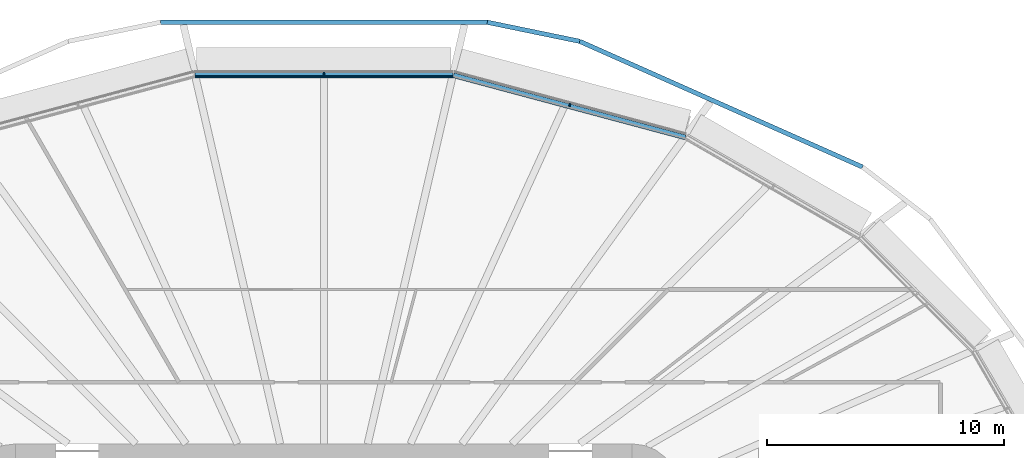
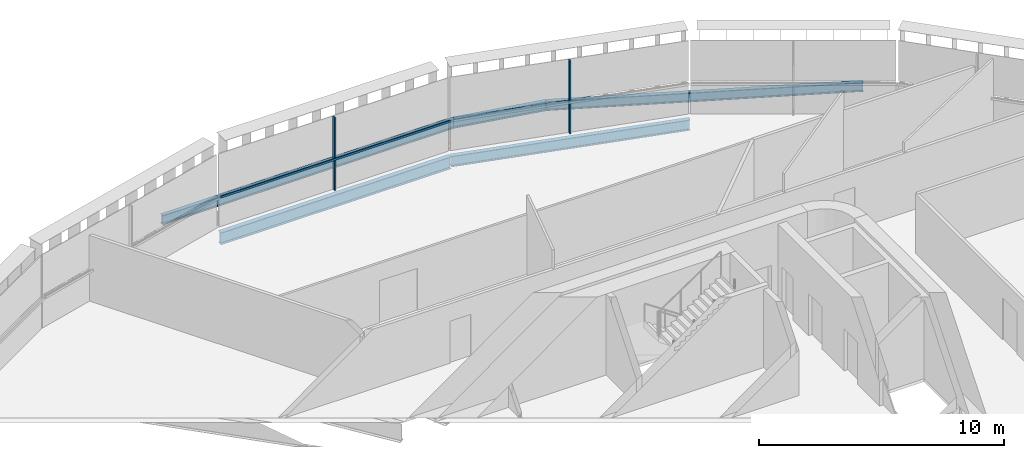
# One storey, part 11 of 25: 5 beams, 3 members, 2 elements without a shape of their own.
"""IFC4 building model written with IfcOpenShell, lengths in metres."""

from ifc_helpers import new_model, si_unit, direction, frame, origin, origin_2d, place, context, subcontext, project, spatial, rectangle, i_section, extrude, material, layer, layer_set, material_profile, profile_set, type_object, element, aggregate, save


model = new_model("IFC4")

# Units and contexts
model_context = context("Model", 3, precision=1e-05, world=origin(), true_north=direction((0.0, 1.0)))
body_context = subcontext(model_context, "Body", "Model", "MODEL_VIEW")
ifc_project = project(units=[si_unit("LENGTHUNIT", "METRE"), si_unit("AREAUNIT", "SQUARE_METRE"), si_unit("VOLUMEUNIT", "CUBIC_METRE"), si_unit("PLANEANGLEUNIT", "RADIAN"), si_unit("MASSUNIT", "GRAM", prefix="KILO")], contexts=[model_context])

# Site, building, storey
site_placement = place(None, origin())
site = spatial("IfcSite", under=ifc_project, at=site_placement, CompositionType="ELEMENT")
building_placement = place(site_placement, origin())
building = spatial("IfcBuilding", under=site, at=building_placement, Name="Sahrelin Media Tower", CompositionType="ELEMENT")
storey_placement = place(building_placement, frame((0.0, 0.0, 135.60009765625)))
storey = spatial("IfcBuildingStorey", under=building, at=storey_placement, Name="L27", CompositionType="ELEMENT", Elevation=135.60009765625)

# Beams
ifc_material_1 = material(Name="Steel S355", Category="steel")
ifc_material_profile_1 = material_profile(ifc_material_1, i_section(OverallWidth=0.208740234375, OverallDepth=0.5283203125, WebThickness=0.009521484375, FlangeThickness=0.01318359375, FilletRadius=0.0126953125, at=origin_2d()), Name="UB 533x210x82")
ifc_profile_set_1 = profile_set([ifc_material_profile_1], Name="Steel S355")
beam_type_1 = type_object("IfcBeamType", Name="Edge beam EB6", PredefinedType="BEAM", material=ifc_profile_set_1)
beam_1_placement = place(storey_placement, frame((5.46337890625, 23.5419921875, -0.414306640625), z_axis=(0.96592349726, -0.258827737002, 0.0), x_axis=(0.258827737002, 0.96592349726, 0.0)))
element("IfcBeam", 1, at=beam_1_placement, inside=storey, type_object=beam_type_1, Name="Edge beam L27-20", PredefinedType="BEAM", context=body_context, shape_type="SweptSolid", body=[
    extrude(i_section(OverallWidth=0.208740234375, OverallDepth=0.5283203125, WebThickness=0.009521484375, FlangeThickness=0.01318359375, FilletRadius=0.0126953125, at=origin_2d()), origin(), (0.0, 0.0, 1.0), 10.119140625),
])
ifc_material_profile_2 = material_profile(ifc_material_1, i_section(OverallWidth=0.2275390625, OverallDepth=0.6025390625, WebThickness=0.010498046875, FlangeThickness=0.014892578125, FilletRadius=0.0126953125, at=origin_2d()), Name="UB 610x229x101")
ifc_profile_set_2 = profile_set([ifc_material_profile_2], Name="Steel S355")
beam_type_2 = type_object("IfcBeamType", Name="Edge beam EB7", PredefinedType="BEAM", material=ifc_profile_set_2)
beam_2_placement = place(storey_placement, frame((-5.434814453125, 23.545654296875, -0.451416015625), z_axis=(1.0, 0.0, 0.0), x_axis=(0.0, 1.0, 0.0)))
element("IfcBeam", 2, at=beam_2_placement, inside=storey, type_object=beam_type_2, Name="Edge beam L27-19", PredefinedType="BEAM", context=body_context, shape_type="SweptSolid", body=[
    extrude(i_section(OverallWidth=0.2275390625, OverallDepth=0.6025390625, WebThickness=0.010498046875, FlangeThickness=0.014892578125, FilletRadius=0.0126953125, at=origin_2d()), origin(), (0.0, 0.0, 1.0), 10.86962890625),
])

# Curtain wall, member
ifc_material_2 = material(Name="Champagne anodised aluminium 6063-T6", Category="aluminium")
ifc_layer = layer(ifc_material_2, 0.14990234375)
ifc_layer_set = layer_set([ifc_layer], Name="Tower ribbon curtain wall")
curtain_wall_type = type_object("IfcCurtainWallType", Name="Tower ribbon curtain wall", PredefinedType="NOTDEFINED", material=ifc_layer_set)
curtain_wall_1_placement = place(storey_placement, frame((10.389404296875, 22.377197265625, 0.0), z_axis=(0.0, 0.0, 1.0), x_axis=(1.0, 0.0, 0.0)))
curtain_wall_1 = element("IfcCurtainWall", 3, at=curtain_wall_1_placement, inside=storey, type_object=curtain_wall_type, Name="L27:CW:L27-05", PredefinedType="NOTDEFINED")
ifc_material_profile_3 = material_profile(ifc_material_2, rectangle(XDim=0.06005859375, YDim=0.14990234375, at=origin_2d()), Name="Mullion 60x150")
ifc_profile_set_3 = profile_set([ifc_material_profile_3], Name="Champagne anodised aluminium 6063-T6")
member_type_1 = type_object("IfcMemberType", Name="Mullion 60x150 CW1", PredefinedType="MULLION", material=ifc_profile_set_3)
member_1_placement = place(storey_placement, frame((10.364990234375, 22.285400390625, 0.0), z_axis=(0.0, 0.0, 1.0), x_axis=(-0.965925826289, 0.258819045103, 0.0)))
member_1 = element("IfcMember", 4, at=member_1_placement, type_object=member_type_1, Name="L27:CWM:L27-05", PredefinedType="MULLION", context=body_context, shape_type="SweptSolid", body=[
    extrude(rectangle(XDim=0.06005859375, YDim=0.14990234375, at=origin_2d()), origin(), (0.0, 0.0, 1.0), 3.6484375),
])
aggregate(curtain_wall_1, [member_1])

curtain_wall_2_placement = place(storey_placement, frame((0.0, 23.69580078125, 0.0), z_axis=(0.0, 0.0, 1.0), x_axis=(1.0, 0.0, 0.0)))
curtain_wall_2 = element("IfcCurtainWall", 5, at=curtain_wall_2_placement, inside=storey, type_object=curtain_wall_type, Name="L27:CW:L27-06", PredefinedType="NOTDEFINED")
member_2_placement = place(storey_placement, frame((0.0, 23.6005859375, 0.0), z_axis=(0.0, 0.0, 1.0), x_axis=(-1.0, 0.0, 0.0)))
member_2 = element("IfcMember", 6, at=member_2_placement, type_object=member_type_1, Name="L27:CWM:L27-06", PredefinedType="MULLION", context=body_context, shape_type="SweptSolid", body=[
    extrude(rectangle(XDim=0.06005859375, YDim=0.14990234375, at=origin_2d()), origin(), (0.0, 0.0, 1.0), 3.6484375),
])

# Beams
ifc_material_profile_4 = material_profile(ifc_material_1, i_section(OverallWidth=0.1904296875, OverallDepth=0.45703125, WebThickness=0.009033203125, FlangeThickness=0.014404296875, FilletRadius=0.01025390625, at=origin_2d()), Name="UB 457x191x74")
ifc_profile_set_4 = profile_set([ifc_material_profile_4], Name="Steel S355")
beam_type_3 = type_object("IfcBeamType", Name="Tie chord TC5", PredefinedType="BEAM", material=ifc_profile_set_4)
beam_3_placement = place(storey_placement, frame((22.710693359375, 19.673828125, -0.378662109375), z_axis=(-0.913830827108, 0.406095086681, 0.0), x_axis=(-0.406095086681, -0.913830827108, 0.0)))
element("IfcBeam", 7, at=beam_3_placement, inside=storey, type_object=beam_type_3, Name="Tie chord L27-04", PredefinedType="BEAM", context=body_context, shape_type="SweptSolid", body=[
    extrude(i_section(OverallWidth=0.1904296875, OverallDepth=0.45703125, WebThickness=0.009033203125, FlangeThickness=0.014404296875, FilletRadius=0.01025390625, at=origin_2d()), origin(), (0.0, 0.0, 1.0), 13.054931640625),
])
beam_4_placement = place(storey_placement, frame((10.78076171875, 24.975341796875, -0.378662109375), z_axis=(-0.979384194354, 0.202006435171, 0.0), x_axis=(-0.202006435171, -0.979384194354, 0.0)))
element("IfcBeam", 8, at=beam_4_placement, inside=storey, type_object=beam_type_3, Name="Tie chord L27-05", PredefinedType="BEAM", context=body_context, shape_type="SweptSolid", body=[
    extrude(i_section(OverallWidth=0.1904296875, OverallDepth=0.45703125, WebThickness=0.009033203125, FlangeThickness=0.014404296875, FilletRadius=0.01025390625, at=origin_2d()), origin(), (0.0, 0.0, 1.0), 3.97509765625),
])
beam_5_placement = place(storey_placement, frame((6.8876953125, 25.7783203125, -0.378662109375), z_axis=(-1.0, 0.0, 0.0), x_axis=(0.0, -1.0, 0.0)))
element("IfcBeam", 9, at=beam_5_placement, inside=storey, type_object=beam_type_3, Name="Tie chord L27-06", PredefinedType="BEAM", context=body_context, shape_type="SweptSolid", body=[
    extrude(i_section(OverallWidth=0.1904296875, OverallDepth=0.45703125, WebThickness=0.009033203125, FlangeThickness=0.014404296875, FilletRadius=0.01025390625, at=origin_2d()), origin(), (0.0, 0.0, 1.0), 13.775390625),
])

# Member
ifc_material_profile_5 = material_profile(ifc_material_2, rectangle(XDim=0.050048828125, YDim=0.10009765625, at=origin_2d()), Name="Transom 50x100")
ifc_profile_set_5 = profile_set([ifc_material_profile_5], Name="Champagne anodised aluminium 6063-T6")
member_type_2 = type_object("IfcMemberType", Name="Transom 50x100 CW1", PredefinedType="USERDEFINED", material=ifc_profile_set_5)
member_3_placement = place(storey_placement, frame((5.419189453125, 23.500732421875, 1.599853515625), z_axis=(-1.0, 0.0, 0.0), x_axis=(0.0, -1.0, 0.0)))
member_3 = element("IfcMember", 10, at=member_3_placement, type_object=member_type_2, Name="L27:CWT:L27-06", ObjectType="TRANSOM", PredefinedType="USERDEFINED", context=body_context, shape_type="SweptSolid", body=[
    extrude(rectangle(XDim=0.050048828125, YDim=0.10009765625, at=origin_2d()), origin(), (0.0, 0.0, 1.0), 10.83837890625),
])

aggregate(curtain_wall_2, [member_2, member_3])

save(model, "model.ifc")
